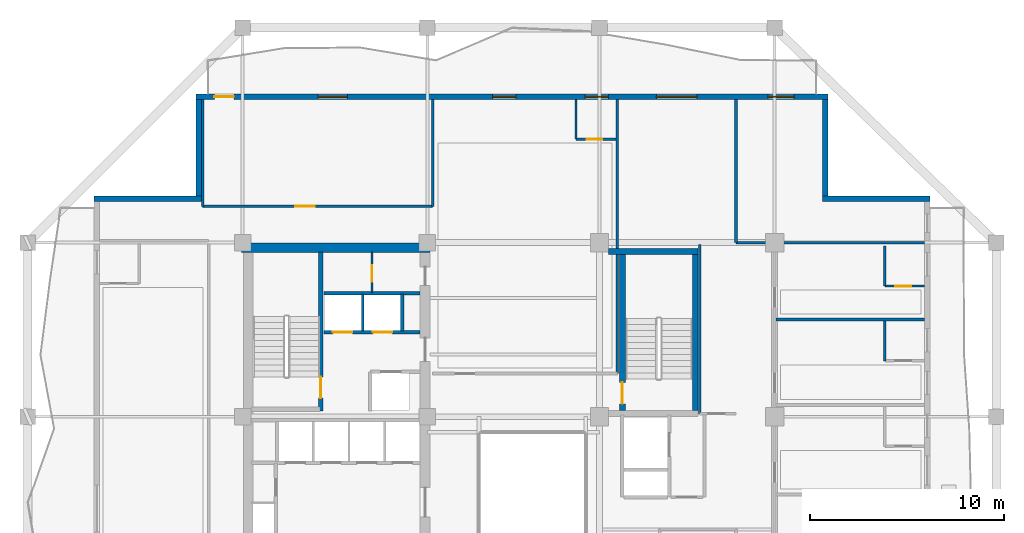
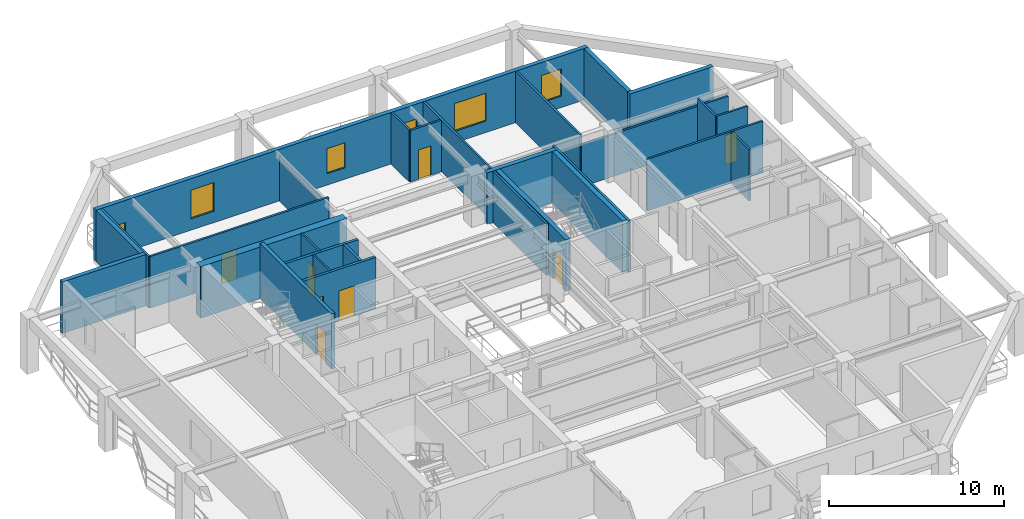
# One storey, part 6 of 13: 28 walls, 9 doors, 5 windows, 14 openings.
"""IFC4 building model written with IfcOpenShell, lengths in metres."""

from ifc_helpers import new_model, si_unit, direction, frame, frame_2d, origin, place, context, subcontext, project, spatial, rectangle, extrude, material, layer, layer_set, type_object, element, fill, save


model = new_model("IFC4")

# Units and contexts
model_context = context("Model", 3, precision=1e-05, world=origin(), true_north=direction((0.0, 1.0)))
body_context = subcontext(model_context, "Body", "Model", "MODEL_VIEW")
ifc_project = project(units=[si_unit("LENGTHUNIT", "METRE"), si_unit("AREAUNIT", "SQUARE_METRE"), si_unit("VOLUMEUNIT", "CUBIC_METRE"), si_unit("PLANEANGLEUNIT", "RADIAN"), si_unit("MASSUNIT", "GRAM", prefix="KILO")], contexts=[model_context])

# Site, building, storey
site_placement = place(None, origin())
site = spatial("IfcSite", under=ifc_project, at=site_placement, CompositionType="ELEMENT")
building_placement = place(site_placement, origin())
building = spatial("IfcBuilding", under=site, at=building_placement, Name="Kundavana Baori Tower", CompositionType="ELEMENT")
storey_placement = place(building_placement, frame((0.0, 0.0, 188.699951171875)))
storey = spatial("IfcBuildingStorey", under=building, at=storey_placement, Name="L46", CompositionType="ELEMENT", Elevation=188.699951171875)

# Wall, opening, door
ifc_material_1 = material(Name="Concrete C50/60", Category="concrete")
ifc_layer_1 = layer(ifc_material_1, 0.39990234375, Name="WL-CORE-400")
ifc_layer_set_1 = layer_set([ifc_layer_1], Name="Concrete C50/60")
wall_type_1 = type_object("IfcWallType", Name="WL-CORE-400", PredefinedType="SHEAR", material=ifc_layer_set_1)
wall_1_placement = place(storey_placement, frame((19.4599609375, 33.300048828125, 0.0), z_axis=(0.0, 0.0, 1.0), x_axis=(0.0, 1.0, 0.0)))
wall_1 = element("IfcWall", 1, at=wall_1_placement, inside=storey, type_object=wall_type_1, Name="WL-L46-ST2-E", PredefinedType="SHEAR", context=body_context, shape_type="SweptSolid", body=[
    extrude(rectangle(XDim=8.179931640625, YDim=0.239990234375, at=frame_2d((4.08984375, 0.0))), origin(), (0.0, 0.0, 1.0), 3.85009765625),
])
opening_1_placement = place(wall_1_placement, frame((0.64990234375, 0.0, 0.0)))
opening_1 = element("IfcOpeningElement", 2, at=opening_1_placement, cuts=wall_1, Name="Opening FD-110", PredefinedType="OPENING", context=body_context, shape_type="SweptSolid", body=[
    extrude(rectangle(XDim=1.10009765625, YDim=2.10009765625, at=frame_2d((0.550048828125, 1.050048828125))), frame((0.0, 0.1298828125, 0.0), z_axis=(0.0, -1.0, 0.0), x_axis=(1.0, 0.0, 0.0)), (0.0, 0.0, 1.0), 0.260009765625),
])
ifc_material_2 = material(Name="Galvanised Steel Fire-Rated Door Leaf", Category="steel")
door_type_1 = type_object("IfcDoorType", Name="DR-FD120-1100", OperationType="NOTDEFINED", PredefinedType="DOOR", material=ifc_material_2)
door_1_placement = place(opening_1_placement, origin())
door_1 = element("IfcDoor", 3, at=door_1_placement, inside=storey, type_object=door_type_1, Name="DR-L46-ST2", OperationType="SINGLE_SWING_RIGHT", OverallHeight=2.10009765625, OverallWidth=1.10009765625, PredefinedType="DOOR", context=body_context, shape_type="SweptSolid", body=[
    extrude(rectangle(XDim=1.10009765625, YDim=2.10009765625, at=frame_2d((0.550048828125, 1.050048828125))), frame((0.0, 0.02490234375, 0.0), z_axis=(0.0, -1.0, 0.0), x_axis=(1.0, 0.0, 0.0)), (0.0, 0.0, 1.0), 0.050048828125),
])
fill(opening_1, door_1)

# Walls
ifc_material_3 = material(Name="Concrete C50/60", Category="concrete")
ifc_layer_2 = layer(ifc_material_3, 0.5, Name="WL-CORE-500")
ifc_layer_set_2 = layer_set([ifc_layer_2], Name="Concrete C50/60")
wall_type_2 = type_object("IfcWallType", Name="WL-CORE-500", PredefinedType="SHEAR", material=ifc_layer_set_2)
wall_2_placement = place(storey_placement, frame((15.39990234375, 41.68994140625, 0.0), z_axis=(0.0, 0.0, 1.0), x_axis=(1.0, 0.0, 0.0)))
element("IfcWall", 4, at=wall_2_placement, inside=storey, type_object=wall_type_2, Name="L46 Offset Core North Shear Wall", PredefinedType="SHEAR", context=body_context, shape_type="SweptSolid", body=[
    extrude(rectangle(XDim=9.68017578125, YDim=0.5, at=frame_2d((4.840087890625, 0.0))), origin(), (0.0, 0.0, 1.0), 3.60009765625),
])
ifc_material_4 = material(Name="Red-Buff Dholpur Sandstone Cladding on Concrete C40/50", Category="masonry")
ifc_layer_3 = layer(ifc_material_4, 0.280029296875, Name="WL-EXT-SAND-280")
ifc_layer_set_3 = layer_set([ifc_layer_3], Name="Red-Buff Dholpur Sandstone Cladding on Concrete C40/50")
wall_type_3 = type_object("IfcWallType", Name="WL-EXT-SAND-280", PredefinedType="STANDARD", material=ifc_layer_set_3)
wall_3_placement = place(storey_placement, frame((50.800048828125, 44.2099609375, 0.0), z_axis=(0.0, 0.0, 1.0), x_axis=(-1.0, 0.0, 0.0)))
element("IfcWall", 5, at=wall_3_placement, inside=storey, type_object=wall_type_3, Name="L46 Exterior Insulated Facade Wall 05", PredefinedType="STANDARD", context=body_context, shape_type="SweptSolid", body=[
    extrude(rectangle(XDim=5.530029296875, YDim=0.280029296875, at=frame_2d((2.76513671875, 0.0))), origin(), (0.0, 0.0, 1.0), 3.60009765625),
])
wall_4_placement = place(storey_placement, frame((45.409912109375, 44.35009765625, 0.0), z_axis=(0.0, 0.0, 1.0), x_axis=(0.0, 1.0, 0.0)))
element("IfcWall", 6, at=wall_4_placement, inside=storey, type_object=wall_type_3, Name="L46 Exterior Insulated Facade Wall 06", PredefinedType="STANDARD", context=body_context, shape_type="SweptSolid", body=[
    extrude(rectangle(XDim=4.969970703125, YDim=0.280029296875, at=frame_2d((2.48486328125, 0.0))), origin(), (0.0, 0.0, 1.0), 3.60009765625),
])

# Wall, openings, door, windows
wall_5_placement = place(storey_placement, frame((45.550048828125, 49.4599609375, 0.0), z_axis=(0.0, 0.0, 1.0), x_axis=(-1.0, 0.0, 0.0)))
wall_5 = element("IfcWall", 7, at=wall_5_placement, inside=storey, type_object=wall_type_3, Name="L46 Exterior Insulated Facade Wall 07", PredefinedType="STANDARD", context=body_context, shape_type="SweptSolid", body=[
    extrude(rectangle(XDim=32.5, YDim=0.280029296875, at=frame_2d((16.25, 0.0))), origin(), (0.0, 0.0, 1.0), 3.60009765625),
])
opening_2_placement = place(wall_5_placement, frame((30.550048828125, 0.0, 0.0)))
opening_2 = element("IfcOpeningElement", 8, at=opening_2_placement, cuts=wall_5, Name="Opening BD-1", PredefinedType="OPENING", context=body_context, shape_type="SweptSolid", body=[
    extrude(rectangle(XDim=1.0, YDim=2.050048828125, at=frame_2d((0.5, 1.02490234375))), frame((0.0, 0.14990234375, 0.0), z_axis=(0.0, -1.0, 0.0), x_axis=(1.0, 0.0, 0.0)), (0.0, 0.0, 1.0), 0.300048828125),
])
opening_3_placement = place(wall_5_placement, frame((24.719970703125, 0.0, 0.800048828125)))
opening_3 = element("IfcOpeningElement", 9, at=opening_3_placement, cuts=wall_5, Name="Opening W-02", PredefinedType="OPENING", context=body_context, shape_type="SweptSolid", body=[
    extrude(rectangle(XDim=1.5, YDim=2.0, at=frame_2d((0.75, 1.0))), frame((0.0, 0.14990234375, 0.0), z_axis=(0.0, -1.0, 0.0), x_axis=(1.0, 0.0, 0.0)), (0.0, 0.0, 1.0), 0.300048828125),
])
opening_4_placement = place(wall_5_placement, frame((16.044921875, 0.0, 0.800048828125)))
opening_4 = element("IfcOpeningElement", 10, at=opening_4_placement, cuts=wall_5, Name="Opening W-03", PredefinedType="OPENING", context=body_context, shape_type="SweptSolid", body=[
    extrude(rectangle(XDim=1.199951171875, YDim=1.75, at=frame_2d((0.60009765625, 0.875))), frame((0.0, 0.14990234375, 0.0), z_axis=(0.0, -1.0, 0.0), x_axis=(1.0, 0.0, 0.0)), (0.0, 0.0, 1.0), 0.300048828125),
])
opening_5_placement = place(wall_5_placement, frame((11.294921875, 0.0, 0.800048828125)))
opening_5 = element("IfcOpeningElement", 11, at=opening_5_placement, cuts=wall_5, Name="Opening W-03", PredefinedType="OPENING", context=body_context, shape_type="SweptSolid", body=[
    extrude(rectangle(XDim=1.199951171875, YDim=1.75, at=frame_2d((0.60009765625, 0.875))), frame((0.0, 0.14990234375, 0.0), z_axis=(0.0, -1.0, 0.0), x_axis=(1.0, 0.0, 0.0)), (0.0, 0.0, 1.0), 0.300048828125),
])
opening_6_placement = place(wall_5_placement, frame((6.72998046875, 0.0, 0.800048828125)))
opening_6 = element("IfcOpeningElement", 12, at=opening_6_placement, cuts=wall_5, Name="Opening W-05", PredefinedType="OPENING", context=body_context, shape_type="SweptSolid", body=[
    extrude(rectangle(XDim=2.10009765625, YDim=1.949951171875, at=frame_2d((1.050048828125, 0.97509765625))), frame((0.0, 0.14990234375, 0.0), z_axis=(0.0, -1.0, 0.0), x_axis=(1.0, 0.0, 0.0)), (0.0, 0.0, 1.0), 0.300048828125),
])
opening_7_placement = place(wall_5_placement, frame((1.7451171875, 0.0, 0.800048828125)))
opening_7 = element("IfcOpeningElement", 13, at=opening_7_placement, cuts=wall_5, Name="Opening W-07", PredefinedType="OPENING", context=body_context, shape_type="SweptSolid", body=[
    extrude(rectangle(XDim=1.35009765625, YDim=1.89990234375, at=frame_2d((0.675048828125, 0.949951171875))), frame((0.0, 0.14990234375, 0.0), z_axis=(0.0, -1.0, 0.0), x_axis=(1.0, 0.0, 0.0)), (0.0, 0.0, 1.0), 0.300048828125),
])
ifc_material_5 = material(Name="Architectural Patinated Bronze Metalwork")
door_type_2 = type_object("IfcDoorType", Name="DR-EXT-LOG-1000", OperationType="NOTDEFINED", PredefinedType="DOOR", material=ifc_material_5)
door_2_placement = place(opening_2_placement, frame((1.0, 0.0, 0.0), z_axis=(0.0, 0.0, 1.0), x_axis=(-1.0, 0.0, 0.0)))
door_2 = element("IfcDoor", 14, at=door_2_placement, inside=storey, type_object=door_type_2, Name="L46 Loggia Balcony Access Door N", OperationType="SINGLE_SWING_LEFT", OverallHeight=2.050048828125, OverallWidth=1.0, PredefinedType="DOOR", context=body_context, shape_type="SweptSolid", body=[
    extrude(rectangle(XDim=1.0, YDim=2.050048828125, at=frame_2d((0.5, 1.02490234375))), frame((0.0, 0.02490234375, 0.0), z_axis=(0.0, -1.0, 0.0), x_axis=(1.0, 0.0, 0.0)), (0.0, 0.0, 1.0), 0.050048828125),
])
fill(opening_2, door_2)
ifc_material_6 = material(Name="Double-Glazed Solar-Control Low-E Insulated Glass", Category="glass")
window_type_1 = type_object("IfcWindowType", Name="WIN-LOG-1200x1750", PartitioningType="SINGLE_PANEL", PredefinedType="WINDOW", material=ifc_material_6)
window_1_placement = place(opening_4_placement, origin())
window_1 = element("IfcWindow", 15, at=window_1_placement, inside=storey, type_object=window_type_1, Name="L46 Recessed Loggia Window N-2", OverallHeight=1.75, OverallWidth=1.199951171875, PartitioningType="SINGLE_PANEL", PredefinedType="WINDOW", context=body_context, shape_type="SweptSolid", body=[
    extrude(rectangle(XDim=1.199951171875, YDim=1.75, at=frame_2d((0.60009765625, 0.875))), frame((0.0, 0.030029296875, 0.0), z_axis=(0.0, -1.0, 0.0), x_axis=(1.0, 0.0, 0.0)), (0.0, 0.0, 1.0), 0.06005859375),
])
fill(opening_4, window_1)
window_2_placement = place(opening_5_placement, origin())
window_2 = element("IfcWindow", 16, at=window_2_placement, inside=storey, type_object=window_type_1, Name="L46 Recessed Loggia Window N-3", OverallHeight=1.75, OverallWidth=1.199951171875, PartitioningType="SINGLE_PANEL", PredefinedType="WINDOW", context=body_context, shape_type="SweptSolid", body=[
    extrude(rectangle(XDim=1.199951171875, YDim=1.75, at=frame_2d((0.60009765625, 0.875))), frame((0.0, 0.030029296875, 0.0), z_axis=(0.0, -1.0, 0.0), x_axis=(1.0, 0.0, 0.0)), (0.0, 0.0, 1.0), 0.06005859375),
])
fill(opening_5, window_2)
ifc_material_7 = material(Name="Double-Glazed Solar-Control Low-E Insulated Glass", Category="glass")
window_type_2 = type_object("IfcWindowType", Name="WIN-LOG-1350x1900", PartitioningType="SINGLE_PANEL", PredefinedType="WINDOW", material=ifc_material_7)
window_3_placement = place(opening_7_placement, origin())
window_3 = element("IfcWindow", 17, at=window_3_placement, inside=storey, type_object=window_type_2, Name="L46 Recessed Loggia Window N-5", OverallHeight=1.89990234375, OverallWidth=1.35009765625, PartitioningType="SINGLE_PANEL", PredefinedType="WINDOW", context=body_context, shape_type="SweptSolid", body=[
    extrude(rectangle(XDim=1.35009765625, YDim=1.89990234375, at=frame_2d((0.675048828125, 0.949951171875))), frame((0.0, 0.030029296875, 0.0), z_axis=(0.0, -1.0, 0.0), x_axis=(1.0, 0.0, 0.0)), (0.0, 0.0, 1.0), 0.06005859375),
])
fill(opening_7, window_3)
ifc_material_8 = material(Name="Double-Glazed Solar-Control Low-E Insulated Glass", Category="glass")
window_type_3 = type_object("IfcWindowType", Name="WIN-LOG-1500x2000", PartitioningType="SINGLE_PANEL", PredefinedType="WINDOW", material=ifc_material_8)
window_4_placement = place(opening_3_placement, origin())
window_4 = element("IfcWindow", 18, at=window_4_placement, inside=storey, type_object=window_type_3, Name="L46 Recessed Loggia Window N-1", OverallHeight=2.0, OverallWidth=1.5, PartitioningType="SINGLE_PANEL", PredefinedType="WINDOW", context=body_context, shape_type="SweptSolid", body=[
    extrude(rectangle(XDim=1.5, YDim=2.0, at=frame_2d((0.75, 1.0))), frame((0.0, 0.030029296875, 0.0), z_axis=(0.0, -1.0, 0.0), x_axis=(1.0, 0.0, 0.0)), (0.0, 0.0, 1.0), 0.06005859375),
])
fill(opening_3, window_4)
ifc_material_9 = material(Name="Double-Glazed Solar-Control Low-E Insulated Glass", Category="glass")
window_type_4 = type_object("IfcWindowType", Name="WIN-LOG-2100x1950", PartitioningType="SINGLE_PANEL", PredefinedType="WINDOW", material=ifc_material_9)
window_5_placement = place(opening_6_placement, origin())
window_5 = element("IfcWindow", 19, at=window_5_placement, inside=storey, type_object=window_type_4, Name="L46 Recessed Loggia Window N-4", OverallHeight=1.949951171875, OverallWidth=2.10009765625, PartitioningType="SINGLE_PANEL", PredefinedType="WINDOW", context=body_context, shape_type="SweptSolid", body=[
    extrude(rectangle(XDim=2.10009765625, YDim=1.949951171875, at=frame_2d((1.050048828125, 0.97509765625))), frame((0.0, 0.030029296875, 0.0), z_axis=(0.0, -1.0, 0.0), x_axis=(1.0, 0.0, 0.0)), (0.0, 0.0, 1.0), 0.06005859375),
])
fill(opening_6, window_5)

# Walls
wall_6_placement = place(storey_placement, frame((13.18994140625, 49.320068359375, 0.0), z_axis=(0.0, 0.0, 1.0), x_axis=(0.0, -1.0, 0.0)))
element("IfcWall", 20, at=wall_6_placement, inside=storey, type_object=wall_type_3, Name="L46 Exterior Insulated Facade Wall 08", PredefinedType="STANDARD", context=body_context, shape_type="SweptSolid", body=[
    extrude(rectangle(XDim=4.969970703125, YDim=0.280029296875, at=frame_2d((2.48486328125, 0.0))), origin(), (0.0, 0.0, 1.0), 3.60009765625),
])
wall_7_placement = place(storey_placement, frame((13.330078125, 44.2099609375, 0.0), z_axis=(0.0, 0.0, 1.0), x_axis=(-1.0, 0.0, 0.0)))
element("IfcWall", 21, at=wall_7_placement, inside=storey, type_object=wall_type_3, Name="L46 Exterior Insulated Facade Wall 09", PredefinedType="STANDARD", context=body_context, shape_type="SweptSolid", body=[
    extrude(rectangle(XDim=5.530029296875, YDim=0.280029296875, at=frame_2d((2.76513671875, 0.0))), origin(), (0.0, 0.0, 1.0), 3.60009765625),
])
ifc_material_10 = material(Name="Acoustic Gypsum Plasterboard on Galvanised Steel Studs", Category="steel")
ifc_layer_4 = layer(ifc_material_10, 0.1201171875, Name="WL-PART-120")
ifc_layer_set_4 = layer_set([ifc_layer_4], Name="Acoustic Gypsum Plasterboard on Galvanised Steel Studs")
wall_type_4 = type_object("IfcWallType", Name="WL-PART-120", PredefinedType="PARTITIONING", material=ifc_layer_set_4)
wall_8_placement = place(storey_placement, frame((21.6201171875, 37.39990234375, 0.0), z_axis=(0.0, 0.0, 1.0), x_axis=(0.0, 1.0, 0.0)))
element("IfcWall", 22, at=wall_8_placement, inside=storey, type_object=wall_type_4, Name="WL-L46-HR-DIV1", PredefinedType="PARTITIONING", context=body_context, shape_type="SweptSolid", body=[
    extrude(rectangle(XDim=1.900146484375, YDim=0.1201171875, at=frame_2d((0.9501953125, 0.0))), origin(), (0.0, 0.0, 1.0), 3.60009765625),
])

# Wall, opening, door
wall_9_placement = place(storey_placement, frame((22.10009765625, 39.39990234375, 0.0), z_axis=(0.0, 0.0, 1.0), x_axis=(0.0, 1.0, 0.0)))
wall_9 = element("IfcWall", 23, at=wall_9_placement, inside=storey, type_object=wall_type_4, Name="WL-L46-CSRV-D1", PredefinedType="PARTITIONING", context=body_context, shape_type="SweptSolid", body=[
    extrude(rectangle(XDim=2.080078125, YDim=0.1201171875, at=frame_2d((1.0400390625, 0.0))), origin(), (0.0, 0.0, 1.0), 3.60009765625),
])
opening_8_placement = place(wall_9_placement, frame((0.550048828125, 0.0, 0.0)))
opening_8 = element("IfcOpeningElement", 24, at=opening_8_placement, cuts=wall_9, Name="Opening FD-085", PredefinedType="OPENING", context=body_context, shape_type="SweptSolid", body=[
    extrude(rectangle(XDim=0.85009765625, YDim=2.06005859375, at=frame_2d((0.425048828125, 1.030029296875))), frame((0.0, 0.070068359375, 0.0), z_axis=(0.0, -1.0, 0.0), x_axis=(1.0, 0.0, 0.0)), (0.0, 0.0, 1.0), 0.14013671875),
])
ifc_material_11 = material(Name="Galvanised Steel Fire-Rated Door Leaf", Category="steel")
door_type_3 = type_object("IfcDoorType", Name="DR-FD60-850", OperationType="NOTDEFINED", PredefinedType="DOOR", material=ifc_material_11)
door_3_placement = place(opening_8_placement, origin())
door_3 = element("IfcDoor", 25, at=door_3_placement, inside=storey, type_object=door_type_3, Name="DR-L46-CSRV1", OperationType="SINGLE_SWING_LEFT", OverallHeight=2.06005859375, OverallWidth=0.85009765625, PredefinedType="DOOR", context=body_context, shape_type="SweptSolid", body=[
    extrude(rectangle(XDim=0.85009765625, YDim=2.06005859375, at=frame_2d((0.425048828125, 1.030029296875))), frame((0.0, 0.02490234375, 0.0), z_axis=(0.0, -1.0, 0.0), x_axis=(1.0, 0.0, 0.0)), (0.0, 0.0, 1.0), 0.050048828125),
])
fill(opening_8, door_3)

# Wall
ifc_material_12 = material(Name="Acoustic Gypsum Plasterboard on Galvanised Steel Studs", Category="steel")
ifc_layer_5 = layer(ifc_material_12, 0.135009765625, Name="WL-PART-135")
ifc_layer_set_5 = layer_set([ifc_layer_5], Name="Acoustic Gypsum Plasterboard on Galvanised Steel Studs")
wall_type_5 = type_object("IfcWallType", Name="WL-PART-135", PredefinedType="PARTITIONING", material=ifc_layer_set_5)
wall_10_placement = place(storey_placement, frame((40.820068359375, 41.949951171875, 0.0), z_axis=(0.0, 0.0, 1.0), x_axis=(1.0, 0.0, 0.0)))
element("IfcWall", 26, at=wall_10_placement, inside=storey, type_object=wall_type_5, Name="WL-L46-HEN", PredefinedType="PARTITIONING", context=body_context, shape_type="SweptSolid", body=[
    extrude(rectangle(XDim=9.699951171875, YDim=0.135009765625, at=frame_2d((4.85009765625, 0.0))), origin(), (0.0, 0.0, 1.0), 2.949951171875),
])

# Wall, opening, door
wall_11_placement = place(storey_placement, frame((13.389892578125, 43.820068359375, 0.0), z_axis=(0.0, 0.0, 1.0), x_axis=(1.0, 0.0, 0.0)))
wall_11 = element("IfcWall", 27, at=wall_11_placement, inside=storey, type_object=wall_type_5, Name="WL-L46-HNC", PredefinedType="PARTITIONING", context=body_context, shape_type="SweptSolid", body=[
    extrude(rectangle(XDim=11.830078125, YDim=0.135009765625, at=frame_2d((5.9150390625, 0.0))), origin(), (0.0, 0.0, 1.0), 3.60009765625),
])
opening_9_placement = place(wall_11_placement, frame((4.760009765625, 0.0, 0.0)))
opening_9 = element("IfcOpeningElement", 28, at=opening_9_placement, cuts=wall_11, Name="Opening ID-100", PredefinedType="OPENING", context=body_context, shape_type="SweptSolid", body=[
    extrude(rectangle(XDim=1.0, YDim=2.080078125, at=frame_2d((0.5, 1.0400390625))), frame((0.0, 0.07763671875, 0.0), z_axis=(0.0, -1.0, 0.0), x_axis=(1.0, 0.0, 0.0)), (0.0, 0.0, 1.0), 0.155029296875),
])
ifc_material_13 = material(Name="Engineered Teak Solid-Core Timber Veneer", Category="wood")
door_type_4 = type_object("IfcDoorType", Name="DR-INT-1000", OperationType="NOTDEFINED", PredefinedType="DOOR", material=ifc_material_13)
door_4_placement = place(opening_9_placement, origin())
door_4 = element("IfcDoor", 29, at=door_4_placement, inside=storey, type_object=door_type_4, Name="DR-L46-HMNW", OperationType="SINGLE_SWING_RIGHT", OverallHeight=2.080078125, OverallWidth=1.0, PredefinedType="DOOR", context=body_context, shape_type="SweptSolid", body=[
    extrude(rectangle(XDim=1.0, YDim=2.080078125, at=frame_2d((0.5, 1.0400390625))), frame((0.0, 0.02490234375, 0.0), z_axis=(0.0, -1.0, 0.0), x_axis=(1.0, 0.0, 0.0)), (0.0, 0.0, 1.0), 0.050048828125),
])
fill(opening_9, door_4)

# Walls
wall_12_placement = place(storey_placement, frame((13.389892578125, 43.820068359375, 0.0), z_axis=(0.0, 0.0, 1.0), x_axis=(0.0, 1.0, 0.0)))
element("IfcWall", 30, at=wall_12_placement, inside=storey, type_object=wall_type_5, Name="WL-L46-HNCW", PredefinedType="PARTITIONING", context=body_context, shape_type="SweptSolid", body=[
    extrude(rectangle(XDim=5.5, YDim=0.135009765625, at=frame_2d((2.75, 0.0))), origin(), (0.0, 0.0, 1.0), 3.60009765625),
])
wall_13_placement = place(storey_placement, frame((25.219970703125, 43.820068359375, 0.0), z_axis=(0.0, 0.0, 1.0), x_axis=(0.0, 1.0, 0.0)))
element("IfcWall", 31, at=wall_13_placement, inside=storey, type_object=wall_type_5, Name="WL-L46-HNCE", PredefinedType="PARTITIONING", context=body_context, shape_type="SweptSolid", body=[
    extrude(rectangle(XDim=5.5, YDim=0.135009765625, at=frame_2d((2.75, 0.0))), origin(), (0.0, 0.0, 1.0), 3.150146484375),
])
wall_14_placement = place(storey_placement, frame((42.8798828125, 38.0, 0.0), z_axis=(0.0, 0.0, 1.0), x_axis=(1.0, 0.0, 0.0)))
element("IfcWall", 32, at=wall_14_placement, inside=storey, type_object=wall_type_5, Name="WL-L46-HED5", PredefinedType="PARTITIONING", context=body_context, shape_type="SweptSolid", body=[
    extrude(rectangle(XDim=7.64013671875, YDim=0.135009765625, at=frame_2d((3.820068359375, 0.0))), origin(), (0.0, 0.0, 1.0), 3.60009765625),
])
wall_15_placement = place(storey_placement, frame((34.719970703125, 35.219970703125, 0.0), z_axis=(0.0, 0.0, 1.0), x_axis=(0.0, 1.0, 0.0)))
element("IfcWall", 33, at=wall_15_placement, inside=storey, type_object=wall_type_5, Name="WL-L46-HNEND", PredefinedType="PARTITIONING", context=body_context, shape_type="SweptSolid", body=[
    extrude(rectangle(XDim=14.10009765625, YDim=0.135009765625, at=frame_2d((7.050048828125, 0.0))), origin(), (0.0, 0.0, 1.0), 3.60009765625),
])
wall_16_placement = place(storey_placement, frame((38.949951171875, 33.14990234375, 0.0), z_axis=(0.0, 0.0, 1.0), x_axis=(0.0, 1.0, 0.0)))
element("IfcWall", 34, at=wall_16_placement, inside=storey, type_object=wall_type_5, Name="WL-L46-HNEW", PredefinedType="PARTITIONING", context=body_context, shape_type="SweptSolid", body=[
    extrude(rectangle(XDim=8.7001953125, YDim=0.135009765625, at=frame_2d((4.35009765625, 0.0))), origin(), (0.0, 0.0, 1.0), 3.60009765625),
])
wall_17_placement = place(storey_placement, frame((40.820068359375, 41.949951171875, 0.0), z_axis=(0.0, 0.0, 1.0), x_axis=(0.0, 1.0, 0.0)))
element("IfcWall", 35, at=wall_17_placement, inside=storey, type_object=wall_type_5, Name="WL-L46-HNEE", PredefinedType="PARTITIONING", context=body_context, shape_type="SweptSolid", body=[
    extrude(rectangle(XDim=7.3701171875, YDim=0.135009765625, at=frame_2d((3.68505859375, 0.0))), origin(), (0.0, 0.0, 1.0), 3.60009765625),
])

# Wall, openings, doors
ifc_material_14 = material(Name="Autoclaved Aerated Concrete Blockwork Masonry", Category="masonry")
ifc_layer_6 = layer(ifc_material_14, 0.179931640625, Name="WL-SHAFT-180")
ifc_layer_set_6 = layer_set([ifc_layer_6], Name="Autoclaved Aerated Concrete Blockwork Masonry")
wall_type_6 = type_object("IfcWallType", Name="WL-SHAFT-180", PredefinedType="SOLIDWALL", material=ifc_layer_set_6)
wall_18_placement = place(storey_placement, frame((19.639892578125, 37.340087890625, 0.0), z_axis=(0.0, 0.0, 1.0), x_axis=(1.0, 0.0, 0.0)))
wall_18 = element("IfcWall", 36, at=wall_18_placement, inside=storey, type_object=wall_type_6, Name="WL-L46-HRLOB-N", PredefinedType="SOLIDWALL", context=body_context, shape_type="SweptSolid", body=[
    extrude(rectangle(XDim=4.940185546875, YDim=0.179931640625, at=frame_2d((2.47021484375, 0.0))), origin(), (0.0, 0.0, 1.0), 3.60009765625),
])
opening_10_placement = place(wall_18_placement, frame((0.449951171875, 0.0, 0.0)))
opening_10 = element("IfcOpeningElement", 37, at=opening_10_placement, cuts=wall_18, Name="Opening LD-100", PredefinedType="OPENING", context=body_context, shape_type="SweptSolid", body=[
    extrude(rectangle(XDim=1.0, YDim=2.10009765625, at=frame_2d((0.5, 1.050048828125))), frame((0.0, 0.10009765625, 0.0), z_axis=(0.0, -1.0, 0.0), x_axis=(1.0, 0.0, 0.0)), (0.0, 0.0, 1.0), 0.199951171875),
])
opening_11_placement = place(wall_18_placement, frame((2.5, 0.0, 0.0)))
opening_11 = element("IfcOpeningElement", 38, at=opening_11_placement, cuts=wall_18, Name="Opening LD-100", PredefinedType="OPENING", context=body_context, shape_type="SweptSolid", body=[
    extrude(rectangle(XDim=1.0, YDim=2.10009765625, at=frame_2d((0.5, 1.050048828125))), frame((0.0, 0.10009765625, 0.0), z_axis=(0.0, -1.0, 0.0), x_axis=(1.0, 0.0, 0.0)), (0.0, 0.0, 1.0), 0.199951171875),
])
ifc_material_15 = material(Name="Galvanised Steel Fire-Rated Door Leaf", Category="steel")
door_type_5 = type_object("IfcDoorType", Name="DR-SLIDE-LD1000", OperationType="NOTDEFINED", PredefinedType="DOOR", material=ifc_material_15)
door_5_placement = place(opening_10_placement, frame((1.0, 0.0, 0.0), z_axis=(0.0, 0.0, 1.0), x_axis=(-1.0, 0.0, 0.0)))
door_5 = element("IfcDoor", 39, at=door_5_placement, inside=storey, type_object=door_type_5, Name="DR-L46-LD-LP09", OperationType="DOUBLE_DOOR_SLIDING", OverallHeight=2.10009765625, OverallWidth=1.0, PredefinedType="DOOR", context=body_context, shape_type="SweptSolid", body=[
    extrude(rectangle(XDim=1.0, YDim=2.10009765625, at=frame_2d((0.5, 1.050048828125))), frame((0.0, 0.02490234375, 0.0), z_axis=(0.0, -1.0, 0.0), x_axis=(1.0, 0.0, 0.0)), (0.0, 0.0, 1.0), 0.050048828125),
])
fill(opening_10, door_5)
door_6_placement = place(opening_11_placement, frame((1.0, 0.0, 0.0), z_axis=(0.0, 0.0, 1.0), x_axis=(-1.0, 0.0, 0.0)))
door_6 = element("IfcDoor", 40, at=door_6_placement, inside=storey, type_object=door_type_5, Name="DR-L46-LD-LP10", OperationType="DOUBLE_DOOR_SLIDING", OverallHeight=2.10009765625, OverallWidth=1.0, PredefinedType="DOOR", context=body_context, shape_type="SweptSolid", body=[
    extrude(rectangle(XDim=1.0, YDim=2.10009765625, at=frame_2d((0.5, 1.050048828125))), frame((0.0, 0.02490234375, 0.0), z_axis=(0.0, -1.0, 0.0), x_axis=(1.0, 0.0, 0.0)), (0.0, 0.0, 1.0), 0.050048828125),
])
fill(opening_11, door_6)

# Walls
wall_19_placement = place(storey_placement, frame((19.639892578125, 39.360107421875, 0.0), z_axis=(0.0, 0.0, 1.0), x_axis=(1.0, 0.0, 0.0)))
element("IfcWall", 41, at=wall_19_placement, inside=storey, type_object=wall_type_6, Name="WL-L46-HRLOB-TOP", PredefinedType="SOLIDWALL", context=body_context, shape_type="SweptSolid", body=[
    extrude(rectangle(XDim=4.940185546875, YDim=0.179931640625, at=frame_2d((2.47021484375, 0.0))), origin(), (0.0, 0.0, 1.0), 3.60009765625),
])
wall_20_placement = place(storey_placement, frame((23.659912109375, 37.39990234375, 0.0), z_axis=(0.0, 0.0, 1.0), x_axis=(0.0, 1.0, 0.0)))
element("IfcWall", 42, at=wall_20_placement, inside=storey, type_object=wall_type_6, Name="WL-L46-HR-DIV2", PredefinedType="SOLIDWALL", context=body_context, shape_type="SweptSolid", body=[
    extrude(rectangle(XDim=1.900146484375, YDim=0.179931640625, at=frame_2d((0.9501953125, 0.0))), origin(), (0.0, 0.0, 1.0), 3.60009765625),
])
ifc_material_16 = material(Name="Concrete C50/60", Category="concrete")
ifc_layer_7 = layer(ifc_material_16, 0.300048828125, Name="WL-ST3-300")
ifc_layer_set_7 = layer_set([ifc_layer_7], Name="Concrete C50/60")
wall_type_7 = type_object("IfcWallType", Name="WL-ST3-300", PredefinedType="SHEAR", material=ifc_layer_set_7)
wall_21_placement = place(storey_placement, frame((34.27490234375, 41.489990234375, 0.0), z_axis=(0.0, 0.0, 1.0), x_axis=(1.0, 0.0, 0.0)))
element("IfcWall", 43, at=wall_21_placement, inside=storey, type_object=wall_type_7, Name="L46 Stair ST3 North Shear Wall", PredefinedType="SHEAR", context=body_context, shape_type="SweptSolid", body=[
    extrude(rectangle(XDim=4.59521484375, YDim=0.300048828125, at=frame_2d((2.297607421875, 0.0))), origin(), (0.0, 0.0, 1.0), 3.60009765625),
])

# Wall, opening, door
wall_22_placement = place(storey_placement, frame((34.97998046875, 33.31005859375, 0.0), z_axis=(0.0, 0.0, 1.0), x_axis=(0.0, 1.0, 0.0)))
wall_22 = element("IfcWall", 44, at=wall_22_placement, inside=storey, type_object=wall_type_7, Name="L46 Stair ST3 West Shear Wall", PredefinedType="SHEAR", context=body_context, shape_type="SweptSolid", body=[
    extrude(rectangle(XDim=8.030029296875, YDim=0.300048828125, at=frame_2d((4.01513671875, 0.0))), origin(), (0.0, 0.0, 1.0), 3.60009765625),
])
opening_12_placement = place(wall_22_placement, frame((0.35009765625, 0.0, 0.0)))
opening_12 = element("IfcOpeningElement", 45, at=opening_12_placement, cuts=wall_22, Name="Opening FD-110", PredefinedType="OPENING", context=body_context, shape_type="SweptSolid", body=[
    extrude(rectangle(XDim=1.10009765625, YDim=2.10009765625, at=frame_2d((0.550048828125, 1.050048828125))), frame((0.0, 0.16015625, 0.0), z_axis=(0.0, -1.0, 0.0), x_axis=(1.0, 0.0, 0.0)), (0.0, 0.0, 1.0), 0.320068359375),
])
door_7_placement = place(opening_12_placement, origin())
door_7 = element("IfcDoor", 46, at=door_7_placement, inside=storey, type_object=door_type_1, Name="DR-L46-ST3-W", OperationType="SINGLE_SWING_LEFT", OverallHeight=2.10009765625, OverallWidth=1.10009765625, PredefinedType="DOOR", context=body_context, shape_type="SweptSolid", body=[
    extrude(rectangle(XDim=1.10009765625, YDim=2.10009765625, at=frame_2d((0.550048828125, 1.050048828125))), frame((0.0, 0.02490234375, 0.0), z_axis=(0.0, -1.0, 0.0), x_axis=(1.0, 0.0, 0.0)), (0.0, 0.0, 1.0), 0.050048828125),
])
fill(opening_12, door_7)

# Walls
wall_23_placement = place(storey_placement, frame((38.719970703125, 33.31005859375, 0.0), z_axis=(0.0, 0.0, 1.0), x_axis=(0.0, 1.0, 0.0)))
element("IfcWall", 47, at=wall_23_placement, inside=storey, type_object=wall_type_7, Name="L46 Stair ST3 East Shear Wall", PredefinedType="SHEAR", context=body_context, shape_type="SweptSolid", body=[
    extrude(rectangle(XDim=8.030029296875, YDim=0.300048828125, at=frame_2d((4.01513671875, 0.0))), origin(), (0.0, 0.0, 1.0), 3.60009765625),
])
ifc_material_17 = material(Name="Autoclaved Aerated Concrete Blockwork Masonry", Category="masonry")
ifc_layer_8 = layer(ifc_material_17, 0.125, Name="WL-WET-120")
ifc_layer_set_8 = layer_set([ifc_layer_8], Name="Autoclaved Aerated Concrete Blockwork Masonry")
wall_type_8 = type_object("IfcWallType", Name="WL-WET-120", PredefinedType="PLUMBINGWALL", material=ifc_layer_set_8)
wall_24_placement = place(storey_placement, frame((48.469970703125, 35.8701171875, 0.0), z_axis=(0.0, 0.0, 1.0), x_axis=(0.0, 1.0, 0.0)))
element("IfcWall", 48, at=wall_24_placement, inside=storey, type_object=wall_type_8, Name="WL-L46-HK-E5-BW", PredefinedType="PLUMBINGWALL", context=body_context, shape_type="SweptSolid", body=[
    extrude(rectangle(XDim=2.0498046875, YDim=0.125, at=frame_2d((1.02490234375, 0.0))), origin(), (0.0, 0.0, 1.0), 3.60009765625),
])
wall_25_placement = place(storey_placement, frame((48.469970703125, 39.719970703125, 0.0), z_axis=(0.0, 0.0, 1.0), x_axis=(0.0, 1.0, 0.0)))
element("IfcWall", 49, at=wall_25_placement, inside=storey, type_object=wall_type_8, Name="WL-L46-HK-E6-BW", PredefinedType="PLUMBINGWALL", context=body_context, shape_type="SweptSolid", body=[
    extrude(rectangle(XDim=2.050048828125, YDim=0.125, at=frame_2d((1.02490234375, 0.0))), origin(), (0.0, 0.0, 1.0), 3.60009765625),
])

# Wall, opening, door
wall_26_placement = place(storey_placement, frame((48.469970703125, 39.719970703125, 0.0), z_axis=(0.0, 0.0, 1.0), x_axis=(1.0, 0.0, 0.0)))
wall_26 = element("IfcWall", 50, at=wall_26_placement, inside=storey, type_object=wall_type_8, Name="WL-L46-HK-E6-BS", PredefinedType="PLUMBINGWALL", context=body_context, shape_type="SweptSolid", body=[
    extrude(rectangle(XDim=2.050048828125, YDim=0.125, at=frame_2d((1.02490234375, 0.0))), origin(), (0.0, 0.0, 1.0), 3.60009765625),
])
opening_13_placement = place(wall_26_placement, frame((0.550048828125, 0.0, 0.0)))
opening_13 = element("IfcOpeningElement", 51, at=opening_13_placement, cuts=wall_26, Name="Opening WD-080", PredefinedType="OPENING", context=body_context, shape_type="SweptSolid", body=[
    extrude(rectangle(XDim=0.800048828125, YDim=2.050048828125, at=frame_2d((0.39990234375, 1.02490234375))), frame((0.0, 0.072509765625, 0.0), z_axis=(0.0, -1.0, 0.0), x_axis=(1.0, 0.0, 0.0)), (0.0, 0.0, 1.0), 0.14501953125),
])
ifc_material_18 = material(Name="Engineered Teak Solid-Core Timber Veneer", Category="wood")
door_type_6 = type_object("IfcDoorType", Name="DR-WET-800", OperationType="NOTDEFINED", PredefinedType="DOOR", material=ifc_material_18)
door_8_placement = place(opening_13_placement, frame((0.800048828125, 0.0, 0.0), z_axis=(0.0, 0.0, 1.0), x_axis=(-1.0, 0.0, 0.0)))
door_8 = element("IfcDoor", 52, at=door_8_placement, inside=storey, type_object=door_type_6, Name="DR-L46-HK-E6-ENS", OperationType="SINGLE_SWING_LEFT", OverallHeight=2.050048828125, OverallWidth=0.800048828125, PredefinedType="DOOR", context=body_context, shape_type="SweptSolid", body=[
    extrude(rectangle(XDim=0.800048828125, YDim=2.050048828125, at=frame_2d((0.39990234375, 1.02490234375))), frame((0.0, 0.02490234375, 0.0), z_axis=(0.0, -1.0, 0.0), x_axis=(1.0, 0.0, 0.0)), (0.0, 0.0, 1.0), 0.050048828125),
])
fill(opening_13, door_8)

# Wall
wall_27_placement = place(storey_placement, frame((32.590087890625, 47.27001953125, 0.0), z_axis=(0.0, 0.0, 1.0), x_axis=(0.0, 1.0, 0.0)))
element("IfcWall", 53, at=wall_27_placement, inside=storey, type_object=wall_type_8, Name="WL-L46-HK-N1-BW", PredefinedType="PLUMBINGWALL", context=body_context, shape_type="SweptSolid", body=[
    extrude(rectangle(XDim=2.050048828125, YDim=0.125, at=frame_2d((1.02490234375, 0.0))), origin(), (0.0, 0.0, 1.0), 3.60009765625),
])

# Wall, opening, door
wall_28_placement = place(storey_placement, frame((32.590087890625, 47.27001953125, 0.0), z_axis=(0.0, 0.0, 1.0), x_axis=(1.0, 0.0, 0.0)))
wall_28 = element("IfcWall", 54, at=wall_28_placement, inside=storey, type_object=wall_type_8, Name="WL-L46-HK-N1-BS", PredefinedType="PLUMBINGWALL", context=body_context, shape_type="SweptSolid", body=[
    extrude(rectangle(XDim=2.0498046875, YDim=0.125, at=frame_2d((1.02490234375, 0.0))), origin(), (0.0, 0.0, 1.0), 3.60009765625),
])
opening_14_placement = place(wall_28_placement, frame((0.550048828125, 0.0, 0.0)))
opening_14 = element("IfcOpeningElement", 55, at=opening_14_placement, cuts=wall_28, Name="Opening WD-080", PredefinedType="OPENING", context=body_context, shape_type="SweptSolid", body=[
    extrude(rectangle(XDim=0.800048828125, YDim=2.050048828125, at=frame_2d((0.39990234375, 1.02490234375))), frame((0.0, 0.072509765625, 0.0), z_axis=(0.0, -1.0, 0.0), x_axis=(1.0, 0.0, 0.0)), (0.0, 0.0, 1.0), 0.14501953125),
])
door_9_placement = place(opening_14_placement, frame((0.800048828125, 0.0, 0.0), z_axis=(0.0, 0.0, 1.0), x_axis=(-1.0, 0.0, 0.0)))
door_9 = element("IfcDoor", 56, at=door_9_placement, inside=storey, type_object=door_type_6, Name="DR-L46-HK-N1-ENS", OperationType="SINGLE_SWING_LEFT", OverallHeight=2.050048828125, OverallWidth=0.800048828125, PredefinedType="DOOR", context=body_context, shape_type="SweptSolid", body=[
    extrude(rectangle(XDim=0.800048828125, YDim=2.050048828125, at=frame_2d((0.39990234375, 1.02490234375))), frame((0.0, 0.02490234375, 0.0), z_axis=(0.0, -1.0, 0.0), x_axis=(1.0, 0.0, 0.0)), (0.0, 0.0, 1.0), 0.050048828125),
])
fill(opening_14, door_9)

save(model, "model.ifc")
